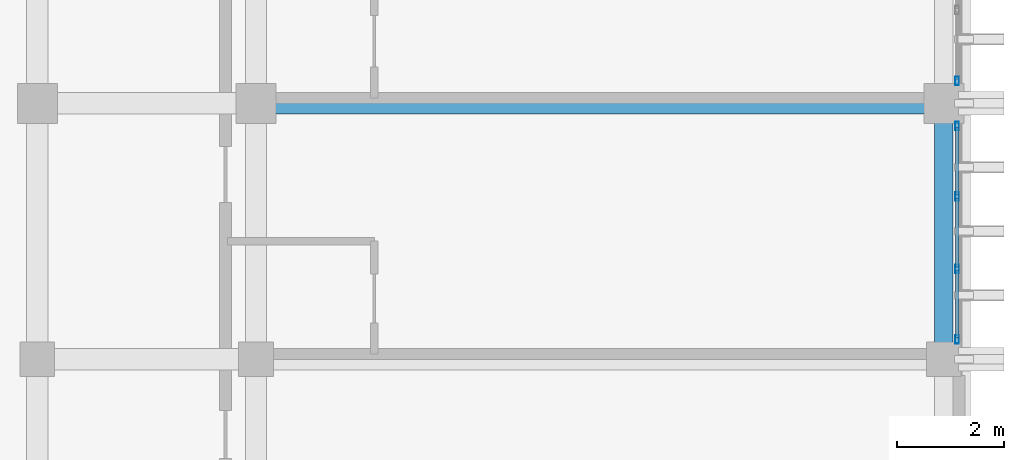
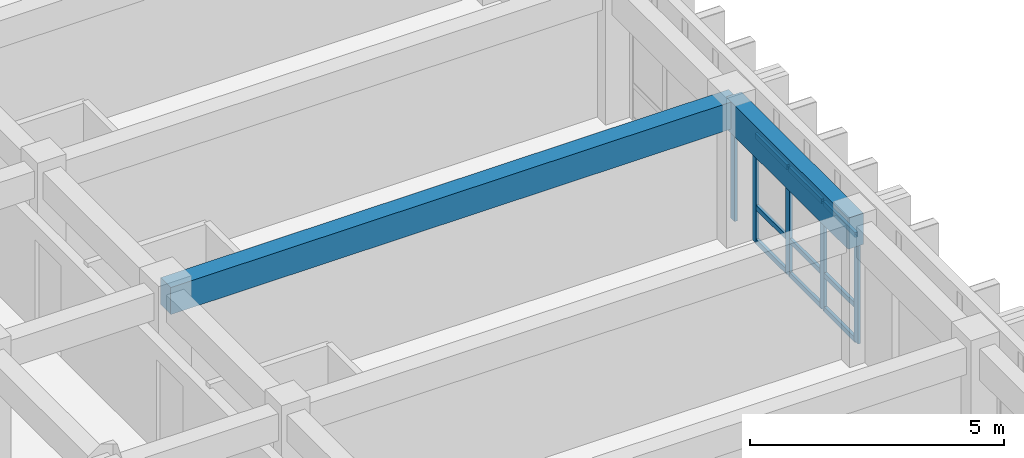
# One storey, part 29 of 64: 14 members, 2 beams, 2 elements without a shape of their own.
"""IFC4 building model written with IfcOpenShell, lengths in metres."""

from ifc_helpers import new_model, si_unit, direction, frame, origin, origin_2d, place, context, subcontext, project, spatial, rectangle, hollow_rectangle, extrude, material, layer, layer_set, material_profile, profile_set, type_object, element, aggregate, save


model = new_model("IFC4")

# Units and contexts
model_context = context("Model", 3, precision=1e-05, world=origin(), true_north=direction((0.0, 1.0)))
body_context = subcontext(model_context, "Body", "Model", "MODEL_VIEW")
ifc_project = project(units=[si_unit("LENGTHUNIT", "METRE"), si_unit("AREAUNIT", "SQUARE_METRE"), si_unit("VOLUMEUNIT", "CUBIC_METRE"), si_unit("PLANEANGLEUNIT", "RADIAN"), si_unit("MASSUNIT", "GRAM", prefix="KILO")], contexts=[model_context])

# Site, building, storey
site_placement = place(None, origin())
site = spatial("IfcSite", under=ifc_project, at=site_placement, CompositionType="ELEMENT")
building_placement = place(site_placement, origin())
building = spatial("IfcBuilding", under=site, at=building_placement, Name="Nakhvara Creek Congress Hotel", CompositionType="ELEMENT")
storey_placement = place(building_placement, frame((0.0, 0.0, 28.199951171875)))
storey = spatial("IfcBuildingStorey", under=building, at=storey_placement, Name="L06", CompositionType="ELEMENT", Elevation=28.199951171875)

# Beams
ifc_material_1 = material(Name="Concrete C40/50", Category="concrete")
ifc_material_profile_1 = material_profile(ifc_material_1, rectangle(XDim=0.39990234375, YDim=0.64990234375, at=origin_2d()), Name="RC-BM 400x650", Category="LoadBearing")
ifc_profile_set_1 = profile_set([ifc_material_profile_1], Name="Concrete C40/50")
beam_type_1 = type_object("IfcBeamType", Name="BM-RC-400X650", PredefinedType="BEAM", material=ifc_profile_set_1)
beam_1_placement = place(storey_placement, frame((166.449951171875, 86.39990234375, 3.01513671875), z_axis=(1.0, 0.0, 0.0), x_axis=(0.0, 1.0, 0.0)))
element("IfcBeam", 1, at=beam_1_placement, inside=storey, type_object=beam_type_1, Name="Beam B06-L06-2261", PredefinedType="BEAM", context=body_context, shape_type="SweptSolid", body=[
    extrude(rectangle(XDim=0.39990234375, YDim=0.64990234375, at=origin_2d()), origin(), (0.0, 0.0, 1.0), 12.900146484375),
])
ifc_material_profile_2 = material_profile(ifc_material_1, rectangle(XDim=0.35009765625, YDim=0.75, at=origin_2d()), Name="RC-SPANDREL 350x750", Category="LoadBearing")
ifc_profile_set_2 = profile_set([ifc_material_profile_2], Name="Concrete C40/50")
beam_type_2 = type_object("IfcBeamType", Name="BM-SPN-350X750", PredefinedType="SPANDREL", material=ifc_profile_set_2)
beam_2_placement = place(storey_placement, frame((179.35009765625, 81.60009765625, 2.965087890625), z_axis=(0.0, 1.0, 0.0), x_axis=(-1.0, 0.0, 0.0)))
element("IfcBeam", 2, at=beam_2_placement, inside=storey, type_object=beam_type_2, Name="Beam SP1-L06-2284", PredefinedType="SPANDREL", context=body_context, shape_type="SweptSolid", body=[
    extrude(rectangle(XDim=0.35009765625, YDim=0.75, at=origin_2d()), origin(), (0.0, 0.0, 1.0), 4.7998046875),
])

# Curtain wall, members
ifc_material_2 = material(Name="Bronze-anodised aluminium AW-6063-T6 and double-silver low-E glass", Category="aluminium")
ifc_layer = layer(ifc_material_2, 0.199951171875)
ifc_layer_set = layer_set([ifc_layer], Name="Bronze-anodised aluminium AW-6063-T6 and double-silver low-E glass")
curtain_wall_type = type_object("IfcCurtainWallType", Name="CW-HTL-UNIT", PredefinedType="USERDEFINED", material=ifc_layer_set)
curtain_wall_1_placement = place(storey_placement, origin())
curtain_wall_1 = element("IfcCurtainWall", 3, at=curtain_wall_1_placement, inside=storey, type_object=curtain_wall_type, Name="Curtain Wall CW241", ObjectType="UNITISED", PredefinedType="USERDEFINED")
ifc_material_3 = material(Name="Bronze-anodised aluminium AW-6063-T6", Category="aluminium")
ifc_material_profile_3 = material_profile(ifc_material_3, hollow_rectangle(XDim=0.06494140625, YDim=0.159912109375, WallThickness=0.00390625, at=origin_2d()), Name="ALU-MULL 65x160x4", Category="LoadBearing")
ifc_profile_set_3 = profile_set([ifc_material_profile_3], Name="Bronze-anodised aluminium AW-6063-T6")
member_type_1 = type_object("IfcMemberType", Name="CW-MULL-160", PredefinedType="MULLION", material=ifc_profile_set_3)
member_1_placement = place(storey_placement, frame((179.60009765625, 85.9775390625, 0.0), z_axis=(0.0, 0.0, 1.0), x_axis=(1.0, 0.0, 0.0)))
member_1 = element("IfcMember", 4, at=member_1_placement, type_object=member_type_1, Name="CW241 mullion 1", PredefinedType="MULLION", context=body_context, shape_type="SweptSolid", body=[
    extrude(hollow_rectangle(XDim=0.06494140625, YDim=0.159912109375, WallThickness=0.00390625, at=origin_2d()), origin(), (0.0, 0.0, 1.0), 2.58203125),
])
member_2_placement = place(storey_placement, frame((179.60009765625, 84.6533203125, 0.0), z_axis=(0.0, 0.0, 1.0), x_axis=(1.0, 0.0, 0.0)))
member_2 = element("IfcMember", 5, at=member_2_placement, type_object=member_type_1, Name="CW241 mullion 2", PredefinedType="MULLION", context=body_context, shape_type="SweptSolid", body=[
    extrude(hollow_rectangle(XDim=0.06494140625, YDim=0.159912109375, WallThickness=0.00390625, at=origin_2d()), origin(), (0.0, 0.0, 1.0), 2.58203125),
])
member_3_placement = place(storey_placement, frame((179.60009765625, 83.296630859375, 0.0), z_axis=(0.0, 0.0, 1.0), x_axis=(1.0, 0.0, 0.0)))
member_3 = element("IfcMember", 6, at=member_3_placement, type_object=member_type_1, Name="CW241 mullion 3", PredefinedType="MULLION", context=body_context, shape_type="SweptSolid", body=[
    extrude(hollow_rectangle(XDim=0.06494140625, YDim=0.159912109375, WallThickness=0.00390625, at=origin_2d()), origin(), (0.0, 0.0, 1.0), 2.58203125),
])
member_4_placement = place(storey_placement, frame((179.60009765625, 81.972412109375, 0.0), z_axis=(0.0, 0.0, 1.0), x_axis=(1.0, 0.0, 0.0)))
member_4 = element("IfcMember", 7, at=member_4_placement, type_object=member_type_1, Name="CW241 mullion 4", PredefinedType="MULLION", context=body_context, shape_type="SweptSolid", body=[
    extrude(hollow_rectangle(XDim=0.06494140625, YDim=0.159912109375, WallThickness=0.00390625, at=origin_2d()), origin(), (0.0, 0.0, 1.0), 2.58203125),
])

# Curtain wall, member
curtain_wall_2_placement = place(storey_placement, origin())
curtain_wall_2 = element("IfcCurtainWall", 8, at=curtain_wall_2_placement, inside=storey, type_object=curtain_wall_type, Name="Curtain Wall CW243", ObjectType="UNITISED", PredefinedType="USERDEFINED")
member_5_placement = place(storey_placement, frame((179.60009765625, 86.822509765625, 0.0), z_axis=(0.0, 0.0, 1.0), x_axis=(1.0, 0.0, 0.0)))
member_5 = element("IfcMember", 9, at=member_5_placement, type_object=member_type_1, Name="CW243 mullion 4", PredefinedType="MULLION", context=body_context, shape_type="SweptSolid", body=[
    extrude(hollow_rectangle(XDim=0.06494140625, YDim=0.159912109375, WallThickness=0.00390625, at=origin_2d()), origin(), (0.0, 0.0, 1.0), 2.58203125),
])
aggregate(curtain_wall_2, [member_5])

# Member
ifc_material_profile_4 = material_profile(ifc_material_3, hollow_rectangle(XDim=0.06494140625, YDim=0.1201171875, WallThickness=0.00390625, at=origin_2d()), Name="ALU-TRAN 65x120x4", Category="LoadBearing")
ifc_profile_set_4 = profile_set([ifc_material_profile_4], Name="Bronze-anodised aluminium AW-6063-T6")
member_type_2 = type_object("IfcMemberType", Name="CW-TRAN-120", PredefinedType="USERDEFINED", material=ifc_profile_set_4)
member_6_placement = place(storey_placement, frame((179.60009765625, 85.945068359375, 0.032470703125), z_axis=(0.0, -1.0, 0.0), x_axis=(1.0, 0.0, 0.0)))
member_6 = element("IfcMember", 10, at=member_6_placement, type_object=member_type_2, Name="CW241 transom 1.1", ObjectType="TRANSOM", PredefinedType="USERDEFINED", context=body_context, shape_type="SweptSolid", body=[
    extrude(hollow_rectangle(XDim=0.06494140625, YDim=0.1201171875, WallThickness=0.00390625, at=origin_2d()), origin(), (0.0, 0.0, 1.0), 1.25927734375),
])

member_7_placement = place(storey_placement, frame((179.60009765625, 85.945068359375, 0.85009765625), z_axis=(0.0, -1.0, 0.0), x_axis=(1.0, 0.0, 0.0)))
member_7 = element("IfcMember", 11, at=member_7_placement, type_object=member_type_2, Name="CW241 transom 1.2", ObjectType="TRANSOM", PredefinedType="USERDEFINED", context=body_context, shape_type="SweptSolid", body=[
    extrude(hollow_rectangle(XDim=0.06494140625, YDim=0.1201171875, WallThickness=0.00390625, at=origin_2d()), origin(), (0.0, 0.0, 1.0), 1.25927734375),
])

member_8_placement = place(storey_placement, frame((179.60009765625, 85.945068359375, 2.549560546875), z_axis=(0.0, -1.0, 0.0), x_axis=(1.0, 0.0, 0.0)))
member_8 = element("IfcMember", 12, at=member_8_placement, type_object=member_type_2, Name="CW241 transom 1.3", ObjectType="TRANSOM", PredefinedType="USERDEFINED", context=body_context, shape_type="SweptSolid", body=[
    extrude(hollow_rectangle(XDim=0.06494140625, YDim=0.1201171875, WallThickness=0.00390625, at=origin_2d()), origin(), (0.0, 0.0, 1.0), 1.25927734375),
])

member_9_placement = place(storey_placement, frame((179.60009765625, 84.620849609375, 0.032470703125), z_axis=(0.0, -1.0, 0.0), x_axis=(1.0, 0.0, 0.0)))
member_9 = element("IfcMember", 13, at=member_9_placement, type_object=member_type_2, Name="CW241 transom 2.1", ObjectType="TRANSOM", PredefinedType="USERDEFINED", context=body_context, shape_type="SweptSolid", body=[
    extrude(hollow_rectangle(XDim=0.06494140625, YDim=0.1201171875, WallThickness=0.00390625, at=origin_2d()), origin(), (0.0, 0.0, 1.0), 1.291748046875),
])

member_10_placement = place(storey_placement, frame((179.60009765625, 84.620849609375, 0.85009765625), z_axis=(0.0, -1.0, 0.0), x_axis=(1.0, 0.0, 0.0)))
member_10 = element("IfcMember", 14, at=member_10_placement, type_object=member_type_2, Name="CW241 transom 2.2", ObjectType="TRANSOM", PredefinedType="USERDEFINED", context=body_context, shape_type="SweptSolid", body=[
    extrude(hollow_rectangle(XDim=0.06494140625, YDim=0.1201171875, WallThickness=0.00390625, at=origin_2d()), origin(), (0.0, 0.0, 1.0), 1.291748046875),
])

member_11_placement = place(storey_placement, frame((179.60009765625, 84.620849609375, 2.549560546875), z_axis=(0.0, -1.0, 0.0), x_axis=(1.0, 0.0, 0.0)))
member_11 = element("IfcMember", 15, at=member_11_placement, type_object=member_type_2, Name="CW241 transom 2.3", ObjectType="TRANSOM", PredefinedType="USERDEFINED", context=body_context, shape_type="SweptSolid", body=[
    extrude(hollow_rectangle(XDim=0.06494140625, YDim=0.1201171875, WallThickness=0.00390625, at=origin_2d()), origin(), (0.0, 0.0, 1.0), 1.291748046875),
])

member_12_placement = place(storey_placement, frame((179.60009765625, 83.26416015625, 0.032470703125), z_axis=(0.0, -1.0, 0.0), x_axis=(1.0, 0.0, 0.0)))
member_12 = element("IfcMember", 16, at=member_12_placement, type_object=member_type_2, Name="CW241 transom 3.1", ObjectType="TRANSOM", PredefinedType="USERDEFINED", context=body_context, shape_type="SweptSolid", body=[
    extrude(hollow_rectangle(XDim=0.06494140625, YDim=0.1201171875, WallThickness=0.00390625, at=origin_2d()), origin(), (0.0, 0.0, 1.0), 1.25927734375),
])

member_13_placement = place(storey_placement, frame((179.60009765625, 83.26416015625, 0.85009765625), z_axis=(0.0, -1.0, 0.0), x_axis=(1.0, 0.0, 0.0)))
member_13 = element("IfcMember", 17, at=member_13_placement, type_object=member_type_2, Name="CW241 transom 3.2", ObjectType="TRANSOM", PredefinedType="USERDEFINED", context=body_context, shape_type="SweptSolid", body=[
    extrude(hollow_rectangle(XDim=0.06494140625, YDim=0.1201171875, WallThickness=0.00390625, at=origin_2d()), origin(), (0.0, 0.0, 1.0), 1.25927734375),
])

member_14_placement = place(storey_placement, frame((179.60009765625, 83.26416015625, 2.549560546875), z_axis=(0.0, -1.0, 0.0), x_axis=(1.0, 0.0, 0.0)))
member_14 = element("IfcMember", 18, at=member_14_placement, type_object=member_type_2, Name="CW241 transom 3.3", ObjectType="TRANSOM", PredefinedType="USERDEFINED", context=body_context, shape_type="SweptSolid", body=[
    extrude(hollow_rectangle(XDim=0.06494140625, YDim=0.1201171875, WallThickness=0.00390625, at=origin_2d()), origin(), (0.0, 0.0, 1.0), 1.25927734375),
])

aggregate(curtain_wall_1, [member_1, member_2, member_3, member_4, member_6, member_7, member_8, member_9, member_10, member_11, member_12, member_13, member_14])

save(model, "model.ifc")
